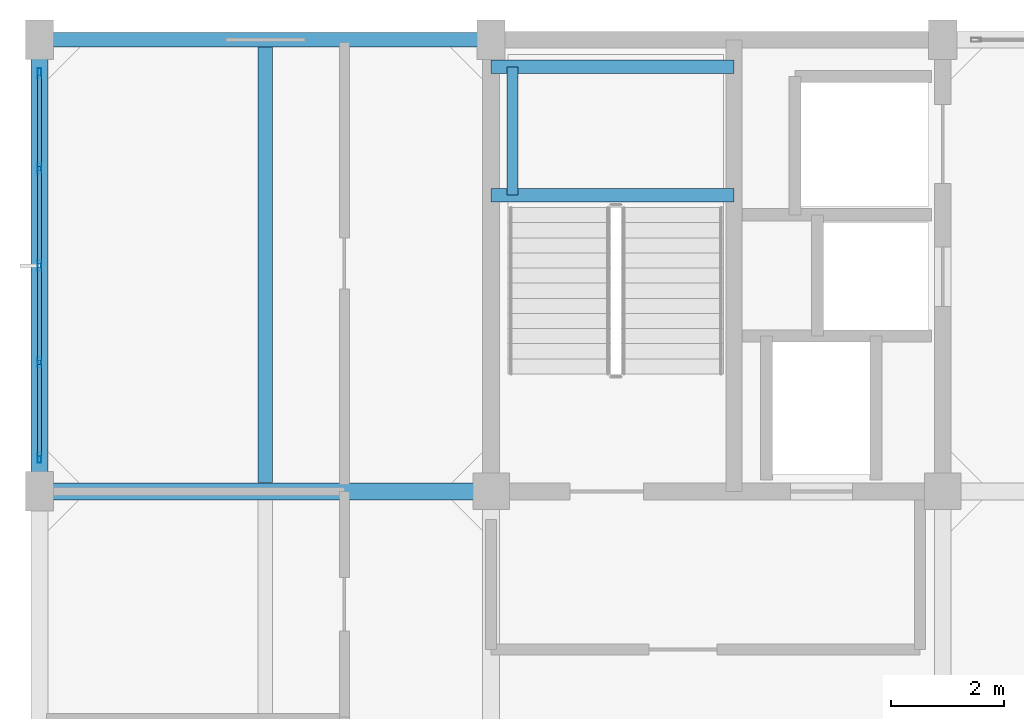
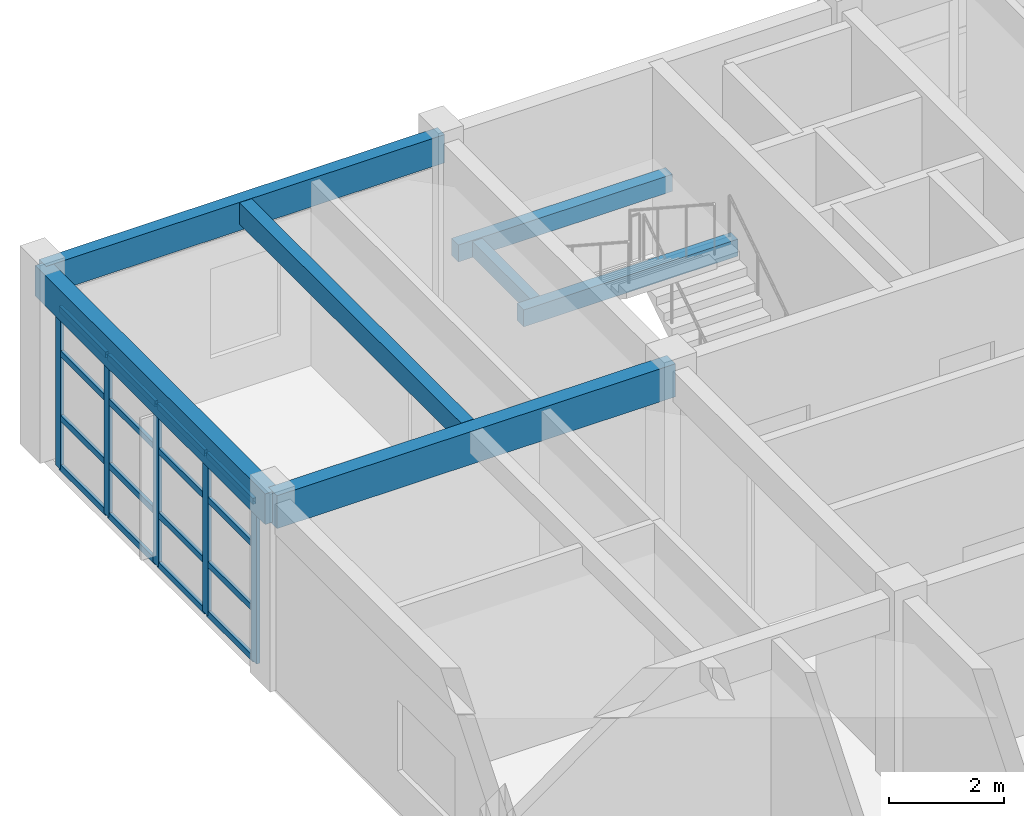
# One storey, part 7 of 16: 21 members, 7 beams, 1 element without a shape of its own.
"""IFC4 building model written with IfcOpenShell, lengths in metres."""

from ifc_helpers import new_model, si_unit, direction, frame, origin, origin_2d, place, context, subcontext, project, spatial, rectangle, hollow_rectangle, extrude, material, layer, layer_set, material_profile, profile_set, type_object, element, aggregate, save


model = new_model("IFC4")

# Units and contexts
model_context = context("Model", 3, precision=1e-05, world=origin(), true_north=direction((0.0, 1.0)))
body_context = subcontext(model_context, "Body", "Model", "MODEL_VIEW")
ifc_project = project(units=[si_unit("LENGTHUNIT", "METRE"), si_unit("AREAUNIT", "SQUARE_METRE"), si_unit("VOLUMEUNIT", "CUBIC_METRE"), si_unit("PLANEANGLEUNIT", "RADIAN"), si_unit("MASSUNIT", "GRAM", prefix="KILO")], contexts=[model_context])

# Site, building, storey
site_placement = place(None, origin())
site = spatial("IfcSite", under=ifc_project, at=site_placement, CompositionType="ELEMENT")
building_placement = place(site_placement, origin())
building = spatial("IfcBuilding", under=site, at=building_placement, Name="Canggui Botanical Conservatory", CompositionType="ELEMENT")
storey_placement = place(building_placement, frame((0.0, 0.0, 65.39990234375)))
storey = spatial("IfcBuildingStorey", under=building, at=storey_placement, Name="L16", CompositionType="ELEMENT", Elevation=65.39990234375)

# Beams
ifc_material_1 = material(Name="Concrete C35", Category="concrete")
ifc_material_profile_1 = material_profile(ifc_material_1, rectangle(XDim=0.25, YDim=0.449951171875, at=origin_2d()), Name="RB 250x450")
ifc_profile_set_1 = profile_set([ifc_material_profile_1], Name="Concrete C35")
beam_type_1 = type_object("IfcBeamType", Name="BM-JST05", PredefinedType="JOIST", material=ifc_profile_set_1)
beam_1_placement = place(storey_placement, frame((150.0, 58.155029296875, 3.735107421875), z_axis=(0.0, 1.0, 0.0), x_axis=(-1.0, 0.0, 0.0)))
element("IfcBeam", 1, at=beam_1_placement, inside=storey, type_object=beam_type_1, Name="Secondary Floor Joist L16-1-3", PredefinedType="JOIST", context=body_context, shape_type="SweptSolid", body=[
    extrude(rectangle(XDim=0.25, YDim=0.449951171875, at=origin_2d()), origin(), (0.0, 0.0, 1.0), 7.715087890625),
])
ifc_material_profile_2 = material_profile(ifc_material_1, rectangle(XDim=0.300048828125, YDim=0.699951171875, at=origin_2d()), Name="RB 300x700")
ifc_profile_set_2 = profile_set([ifc_material_profile_2], Name="Concrete C35")
beam_type_2 = type_object("IfcBeamType", Name="BM-KL21", PredefinedType="BEAM", material=ifc_profile_set_2)
beam_2_placement = place(storey_placement, frame((146.0, 58.0, 3.610107421875), z_axis=(1.0, 0.0, 0.0), x_axis=(0.0, 1.0, 0.0)))
element("IfcBeam", 2, at=beam_2_placement, inside=storey, type_object=beam_type_2, Name="Frame Girder L16 Y58-1", PredefinedType="BEAM", context=body_context, shape_type="SweptSolid", body=[
    extrude(rectangle(XDim=0.300048828125, YDim=0.699951171875, at=origin_2d()), origin(), (0.0, 0.0, 1.0), 8.0),
])
ifc_material_profile_3 = material_profile(ifc_material_1, rectangle(XDim=0.300048828125, YDim=0.64990234375, at=origin_2d()), Name="RB 300x650")
ifc_profile_set_3 = profile_set([ifc_material_profile_3], Name="Concrete C35")
beam_type_3 = type_object("IfcBeamType", Name="BM-KL22", PredefinedType="BEAM", material=ifc_profile_set_3)
beam_3_placement = place(storey_placement, frame((146.0, 58.0, 3.635009765625), z_axis=(0.0, 1.0, 0.0), x_axis=(-1.0, 0.0, 0.0)))
element("IfcBeam", 3, at=beam_3_placement, inside=storey, type_object=beam_type_3, Name="Frame Girder L16 X146-3", PredefinedType="BEAM", context=body_context, shape_type="SweptSolid", body=[
    extrude(rectangle(XDim=0.300048828125, YDim=0.64990234375, at=origin_2d()), origin(), (0.0, 0.0, 1.0), 8.0),
])
ifc_material_profile_4 = material_profile(ifc_material_1, rectangle(XDim=0.239990234375, YDim=0.360107421875, at=origin_2d()), Name="RB 240x360")
ifc_profile_set_4 = profile_set([ifc_material_profile_4], Name="Concrete C35")
beam_type_4 = type_object("IfcBeamType", Name="BM-LIN01", PredefinedType="LINTEL", material=ifc_profile_set_4)
for number, where, z_axis, x_axis, name in (
    (4, (154.0, 63.24755859375, 1.72021484375), (1.0, 0.0, 0.0), (0.0, 1.0, 0.0), "ST-T2 Half-Landing Ledger Beam L16-1.1"),
    (5, (154.0, 65.52001953125, 1.72021484375), (1.0, 0.0, 0.0), (0.0, 1.0, 0.0), "ST-T2 Half-Landing Ledger Beam L16-1.2"),
):
    element("IfcBeam", number, at=place(storey_placement, frame(where, z_axis=z_axis, x_axis=x_axis)), inside=storey, type_object=beam_type_4, Name=name, PredefinedType="LINTEL", context=body_context, shape_type="SweptSolid", body=[
        extrude(rectangle(XDim=0.239990234375, YDim=0.360107421875, at=origin_2d()), origin(), (0.0, 0.0, 1.0), 4.300048828125),
    ])
ifc_material_profile_5 = material_profile(ifc_material_1, rectangle(XDim=0.199951171875, YDim=0.320068359375, at=origin_2d()), Name="RB 200x320")
ifc_profile_set_5 = profile_set([ifc_material_profile_5], Name="Concrete C35")
beam_type_5 = type_object("IfcBeamType", Name="BM-LIN02", PredefinedType="LINTEL", material=ifc_profile_set_5)
beam_4_placement = place(storey_placement, frame((154.3798828125, 63.24755859375, 1.72021484375), z_axis=(0.0, 1.0, 0.0), x_axis=(-1.0, 0.0, 0.0)))
element("IfcBeam", 6, at=beam_4_placement, inside=storey, type_object=beam_type_5, Name="ST-T2 Half-Landing Edge Ledger L16-1.3", PredefinedType="LINTEL", context=body_context, shape_type="SweptSolid", body=[
    extrude(rectangle(XDim=0.199951171875, YDim=0.320068359375, at=origin_2d()), origin(), (0.0, 0.0, 1.0), 2.2724609375),
])
ifc_material_profile_6 = material_profile(ifc_material_1, rectangle(XDim=0.25, YDim=0.60009765625, at=origin_2d()), Name="RB 250x600")
ifc_profile_set_6 = profile_set([ifc_material_profile_6], Name="Concrete C35")
beam_type_6 = type_object("IfcBeamType", Name="BM-SPD02", PredefinedType="SPANDREL", material=ifc_profile_set_6)
beam_5_placement = place(storey_placement, frame((146.0, 66.0, 3.66015625), z_axis=(1.0, 0.0, 0.0), x_axis=(0.0, 1.0, 0.0)))
element("IfcBeam", 7, at=beam_5_placement, inside=storey, type_object=beam_type_6, Name="Frame Girder L16 Y66-1", PredefinedType="SPANDREL", context=body_context, shape_type="SweptSolid", body=[
    extrude(rectangle(XDim=0.25, YDim=0.60009765625, at=origin_2d()), origin(), (0.0, 0.0, 1.0), 8.0),
])

# Curtain wall, members
ifc_material_2 = material(Name="Thermally Broken Aluminium", Category="aluminium")
ifc_layer = layer(ifc_material_2, 0.179931640625, Name="Thermally Broken Aluminium", Category="aluminium")
ifc_layer_set = layer_set([ifc_layer], Name="Thermally Broken Aluminium")
curtain_wall_type = type_object("IfcCurtainWallType", Name="CW-UNIT-A", PredefinedType="USERDEFINED", material=ifc_layer_set)
curtain_wall_placement = place(storey_placement, origin())
curtain_wall = element("IfcCurtainWall", 8, at=curtain_wall_placement, inside=storey, type_object=curtain_wall_type, Name="Facade Curtain Wall CW-TWR-L16-06", ObjectType="UNITISED CURTAIN WALL", PredefinedType="USERDEFINED")
ifc_material_profile_7 = material_profile(ifc_material_2, hollow_rectangle(XDim=0.070068359375, YDim=0.179931640625, WallThickness=0.00390625, at=origin_2d()), Name="CWM 70x180x4")
ifc_profile_set_7 = profile_set([ifc_material_profile_7], Name="Thermally Broken Aluminium")
member_type_1 = type_object("IfcMemberType", Name="CWM-01", PredefinedType="MULLION", material=ifc_profile_set_7)
member_1_placement = place(storey_placement, frame((146.0, 58.594970703125, 0.0), z_axis=(0.0, 0.0, 1.0), x_axis=(-1.0, 0.0, 0.0)))
member_1 = element("IfcMember", 9, at=member_1_placement, type_object=member_type_1, Name="CW-01 mullion 1", PredefinedType="MULLION", context=body_context, shape_type="SweptSolid", body=[
    extrude(hollow_rectangle(XDim=0.070068359375, YDim=0.179931640625, WallThickness=0.00390625, at=origin_2d()), origin(), (0.0, 0.0, 1.0), 3.41015625),
])
member_2_placement = place(storey_placement, frame((146.0, 60.280029296875, 0.0), z_axis=(0.0, 0.0, 1.0), x_axis=(-1.0, 0.0, 0.0)))
member_2 = element("IfcMember", 10, at=member_2_placement, type_object=member_type_1, Name="CW-01 mullion 2", PredefinedType="MULLION", context=body_context, shape_type="SweptSolid", body=[
    extrude(hollow_rectangle(XDim=0.070068359375, YDim=0.179931640625, WallThickness=0.00390625, at=origin_2d()), origin(), (0.0, 0.0, 1.0), 3.41015625),
])
member_3_placement = place(storey_placement, frame((146.0, 62.0, 0.0), z_axis=(0.0, 0.0, 1.0), x_axis=(-1.0, 0.0, 0.0)))
member_3 = element("IfcMember", 11, at=member_3_placement, type_object=member_type_1, Name="CW-01 mullion 3", PredefinedType="MULLION", context=body_context, shape_type="SweptSolid", body=[
    extrude(hollow_rectangle(XDim=0.070068359375, YDim=0.179931640625, WallThickness=0.00390625, at=origin_2d()), origin(), (0.0, 0.0, 1.0), 3.41015625),
])
member_4_placement = place(storey_placement, frame((146.0, 63.719970703125, 0.0), z_axis=(0.0, 0.0, 1.0), x_axis=(-1.0, 0.0, 0.0)))
member_4 = element("IfcMember", 12, at=member_4_placement, type_object=member_type_1, Name="CW-01 mullion 4", PredefinedType="MULLION", context=body_context, shape_type="SweptSolid", body=[
    extrude(hollow_rectangle(XDim=0.070068359375, YDim=0.179931640625, WallThickness=0.00390625, at=origin_2d()), origin(), (0.0, 0.0, 1.0), 3.41015625),
])
member_5_placement = place(storey_placement, frame((146.0, 65.405029296875, 0.0), z_axis=(0.0, 0.0, 1.0), x_axis=(-1.0, 0.0, 0.0)))
member_5 = element("IfcMember", 13, at=member_5_placement, type_object=member_type_1, Name="CW-01 mullion 5", PredefinedType="MULLION", context=body_context, shape_type="SweptSolid", body=[
    extrude(hollow_rectangle(XDim=0.070068359375, YDim=0.179931640625, WallThickness=0.00390625, at=origin_2d()), origin(), (0.0, 0.0, 1.0), 3.41015625),
])
ifc_material_profile_8 = material_profile(ifc_material_2, hollow_rectangle(XDim=0.06494140625, YDim=0.1298828125, WallThickness=0.00341796875, at=origin_2d()), Name="CWT 65x130x3.5")
ifc_profile_set_8 = profile_set([ifc_material_profile_8], Name="Thermally Broken Aluminium")
member_type_2 = type_object("IfcMemberType", Name="CWT-01", PredefinedType="USERDEFINED", material=ifc_profile_set_8)
member_6_placement = place(storey_placement, frame((146.0, 58.6298828125, 0.03271484375), z_axis=(0.0, 1.0, 0.0), x_axis=(-1.0, 0.0, 0.0)))
member_6 = element("IfcMember", 14, at=member_6_placement, type_object=member_type_2, Name="CW-01 transom 1.1", ObjectType="TRANSOM", PredefinedType="USERDEFINED", context=body_context, shape_type="SweptSolid", body=[
    extrude(hollow_rectangle(XDim=0.06494140625, YDim=0.1298828125, WallThickness=0.00341796875, at=origin_2d()), origin(), (0.0, 0.0, 1.0), 1.615234375),
])
member_7_placement = place(storey_placement, frame((146.0, 58.6298828125, 1.09130859375), z_axis=(0.0, 1.0, 0.0), x_axis=(-1.0, 0.0, 0.0)))
member_7 = element("IfcMember", 15, at=member_7_placement, type_object=member_type_2, Name="CW-01 transom 1.2", ObjectType="TRANSOM", PredefinedType="USERDEFINED", context=body_context, shape_type="SweptSolid", body=[
    extrude(hollow_rectangle(XDim=0.06494140625, YDim=0.1298828125, WallThickness=0.00341796875, at=origin_2d()), origin(), (0.0, 0.0, 1.0), 1.615234375),
])
member_8_placement = place(storey_placement, frame((146.0, 58.6298828125, 2.455322265625), z_axis=(0.0, 1.0, 0.0), x_axis=(-1.0, 0.0, 0.0)))
member_8 = element("IfcMember", 16, at=member_8_placement, type_object=member_type_2, Name="CW-01 transom 1.3", ObjectType="TRANSOM", PredefinedType="USERDEFINED", context=body_context, shape_type="SweptSolid", body=[
    extrude(hollow_rectangle(XDim=0.06494140625, YDim=0.1298828125, WallThickness=0.00341796875, at=origin_2d()), origin(), (0.0, 0.0, 1.0), 1.615234375),
])
member_9_placement = place(storey_placement, frame((146.0, 58.6298828125, 3.377685546875), z_axis=(0.0, 1.0, 0.0), x_axis=(-1.0, 0.0, 0.0)))
member_9 = element("IfcMember", 17, at=member_9_placement, type_object=member_type_2, Name="CW-01 transom 1.4", ObjectType="TRANSOM", PredefinedType="USERDEFINED", context=body_context, shape_type="SweptSolid", body=[
    extrude(hollow_rectangle(XDim=0.06494140625, YDim=0.1298828125, WallThickness=0.00341796875, at=origin_2d()), origin(), (0.0, 0.0, 1.0), 1.615234375),
])
member_10_placement = place(storey_placement, frame((146.0, 60.31494140625, 0.03271484375), z_axis=(0.0, 1.0, 0.0), x_axis=(-1.0, 0.0, 0.0)))
member_10 = element("IfcMember", 18, at=member_10_placement, type_object=member_type_2, Name="CW-01 transom 2.1", ObjectType="TRANSOM", PredefinedType="USERDEFINED", context=body_context, shape_type="SweptSolid", body=[
    extrude(hollow_rectangle(XDim=0.06494140625, YDim=0.1298828125, WallThickness=0.00341796875, at=origin_2d()), origin(), (0.0, 0.0, 1.0), 1.650146484375),
])
member_11_placement = place(storey_placement, frame((146.0, 60.31494140625, 1.09130859375), z_axis=(0.0, 1.0, 0.0), x_axis=(-1.0, 0.0, 0.0)))
member_11 = element("IfcMember", 19, at=member_11_placement, type_object=member_type_2, Name="CW-01 transom 2.2", ObjectType="TRANSOM", PredefinedType="USERDEFINED", context=body_context, shape_type="SweptSolid", body=[
    extrude(hollow_rectangle(XDim=0.06494140625, YDim=0.1298828125, WallThickness=0.00341796875, at=origin_2d()), origin(), (0.0, 0.0, 1.0), 1.650146484375),
])
member_12_placement = place(storey_placement, frame((146.0, 60.31494140625, 2.455322265625), z_axis=(0.0, 1.0, 0.0), x_axis=(-1.0, 0.0, 0.0)))
member_12 = element("IfcMember", 20, at=member_12_placement, type_object=member_type_2, Name="CW-01 transom 2.3", ObjectType="TRANSOM", PredefinedType="USERDEFINED", context=body_context, shape_type="SweptSolid", body=[
    extrude(hollow_rectangle(XDim=0.06494140625, YDim=0.1298828125, WallThickness=0.00341796875, at=origin_2d()), origin(), (0.0, 0.0, 1.0), 1.650146484375),
])
member_13_placement = place(storey_placement, frame((146.0, 60.31494140625, 3.377685546875), z_axis=(0.0, 1.0, 0.0), x_axis=(-1.0, 0.0, 0.0)))
member_13 = element("IfcMember", 21, at=member_13_placement, type_object=member_type_2, Name="CW-01 transom 2.4", ObjectType="TRANSOM", PredefinedType="USERDEFINED", context=body_context, shape_type="SweptSolid", body=[
    extrude(hollow_rectangle(XDim=0.06494140625, YDim=0.1298828125, WallThickness=0.00341796875, at=origin_2d()), origin(), (0.0, 0.0, 1.0), 1.650146484375),
])
member_14_placement = place(storey_placement, frame((146.0, 62.034912109375, 0.03271484375), z_axis=(0.0, 1.0, 0.0), x_axis=(-1.0, 0.0, 0.0)))
member_14 = element("IfcMember", 22, at=member_14_placement, type_object=member_type_2, Name="CW-01 transom 3.1", ObjectType="TRANSOM", PredefinedType="USERDEFINED", context=body_context, shape_type="SweptSolid", body=[
    extrude(hollow_rectangle(XDim=0.06494140625, YDim=0.1298828125, WallThickness=0.00341796875, at=origin_2d()), origin(), (0.0, 0.0, 1.0), 1.650146484375),
])
member_15_placement = place(storey_placement, frame((146.0, 62.034912109375, 1.09130859375), z_axis=(0.0, 1.0, 0.0), x_axis=(-1.0, 0.0, 0.0)))
member_15 = element("IfcMember", 23, at=member_15_placement, type_object=member_type_2, Name="CW-01 transom 3.2", ObjectType="TRANSOM", PredefinedType="USERDEFINED", context=body_context, shape_type="SweptSolid", body=[
    extrude(hollow_rectangle(XDim=0.06494140625, YDim=0.1298828125, WallThickness=0.00341796875, at=origin_2d()), origin(), (0.0, 0.0, 1.0), 1.650146484375),
])
member_16_placement = place(storey_placement, frame((146.0, 62.034912109375, 2.455322265625), z_axis=(0.0, 1.0, 0.0), x_axis=(-1.0, 0.0, 0.0)))
member_16 = element("IfcMember", 24, at=member_16_placement, type_object=member_type_2, Name="CW-01 transom 3.3", ObjectType="TRANSOM", PredefinedType="USERDEFINED", context=body_context, shape_type="SweptSolid", body=[
    extrude(hollow_rectangle(XDim=0.06494140625, YDim=0.1298828125, WallThickness=0.00341796875, at=origin_2d()), origin(), (0.0, 0.0, 1.0), 1.650146484375),
])
member_17_placement = place(storey_placement, frame((146.0, 62.034912109375, 3.377685546875), z_axis=(0.0, 1.0, 0.0), x_axis=(-1.0, 0.0, 0.0)))
member_17 = element("IfcMember", 25, at=member_17_placement, type_object=member_type_2, Name="CW-01 transom 3.4", ObjectType="TRANSOM", PredefinedType="USERDEFINED", context=body_context, shape_type="SweptSolid", body=[
    extrude(hollow_rectangle(XDim=0.06494140625, YDim=0.1298828125, WallThickness=0.00341796875, at=origin_2d()), origin(), (0.0, 0.0, 1.0), 1.650146484375),
])
member_18_placement = place(storey_placement, frame((146.0, 63.7548828125, 0.03271484375), z_axis=(0.0, 1.0, 0.0), x_axis=(-1.0, 0.0, 0.0)))
member_18 = element("IfcMember", 26, at=member_18_placement, type_object=member_type_2, Name="CW-01 transom 4.1", ObjectType="TRANSOM", PredefinedType="USERDEFINED", context=body_context, shape_type="SweptSolid", body=[
    extrude(hollow_rectangle(XDim=0.06494140625, YDim=0.1298828125, WallThickness=0.00341796875, at=origin_2d()), origin(), (0.0, 0.0, 1.0), 1.615234375),
])
member_19_placement = place(storey_placement, frame((146.0, 63.7548828125, 1.09130859375), z_axis=(0.0, 1.0, 0.0), x_axis=(-1.0, 0.0, 0.0)))
member_19 = element("IfcMember", 27, at=member_19_placement, type_object=member_type_2, Name="CW-01 transom 4.2", ObjectType="TRANSOM", PredefinedType="USERDEFINED", context=body_context, shape_type="SweptSolid", body=[
    extrude(hollow_rectangle(XDim=0.06494140625, YDim=0.1298828125, WallThickness=0.00341796875, at=origin_2d()), origin(), (0.0, 0.0, 1.0), 1.615234375),
])
member_20_placement = place(storey_placement, frame((146.0, 63.7548828125, 2.455322265625), z_axis=(0.0, 1.0, 0.0), x_axis=(-1.0, 0.0, 0.0)))
member_20 = element("IfcMember", 28, at=member_20_placement, type_object=member_type_2, Name="CW-01 transom 4.3", ObjectType="TRANSOM", PredefinedType="USERDEFINED", context=body_context, shape_type="SweptSolid", body=[
    extrude(hollow_rectangle(XDim=0.06494140625, YDim=0.1298828125, WallThickness=0.00341796875, at=origin_2d()), origin(), (0.0, 0.0, 1.0), 1.615234375),
])
member_21_placement = place(storey_placement, frame((146.0, 63.7548828125, 3.377685546875), z_axis=(0.0, 1.0, 0.0), x_axis=(-1.0, 0.0, 0.0)))
member_21 = element("IfcMember", 29, at=member_21_placement, type_object=member_type_2, Name="CW-01 transom 4.4", ObjectType="TRANSOM", PredefinedType="USERDEFINED", context=body_context, shape_type="SweptSolid", body=[
    extrude(hollow_rectangle(XDim=0.06494140625, YDim=0.1298828125, WallThickness=0.00341796875, at=origin_2d()), origin(), (0.0, 0.0, 1.0), 1.615234375),
])
aggregate(curtain_wall, [member_1, member_2, member_3, member_4, member_5, member_6, member_7, member_8, member_9, member_10, member_11, member_12, member_13, member_14, member_15, member_16, member_17, member_18, member_19, member_20, member_21])

save(model, "model.ifc")
